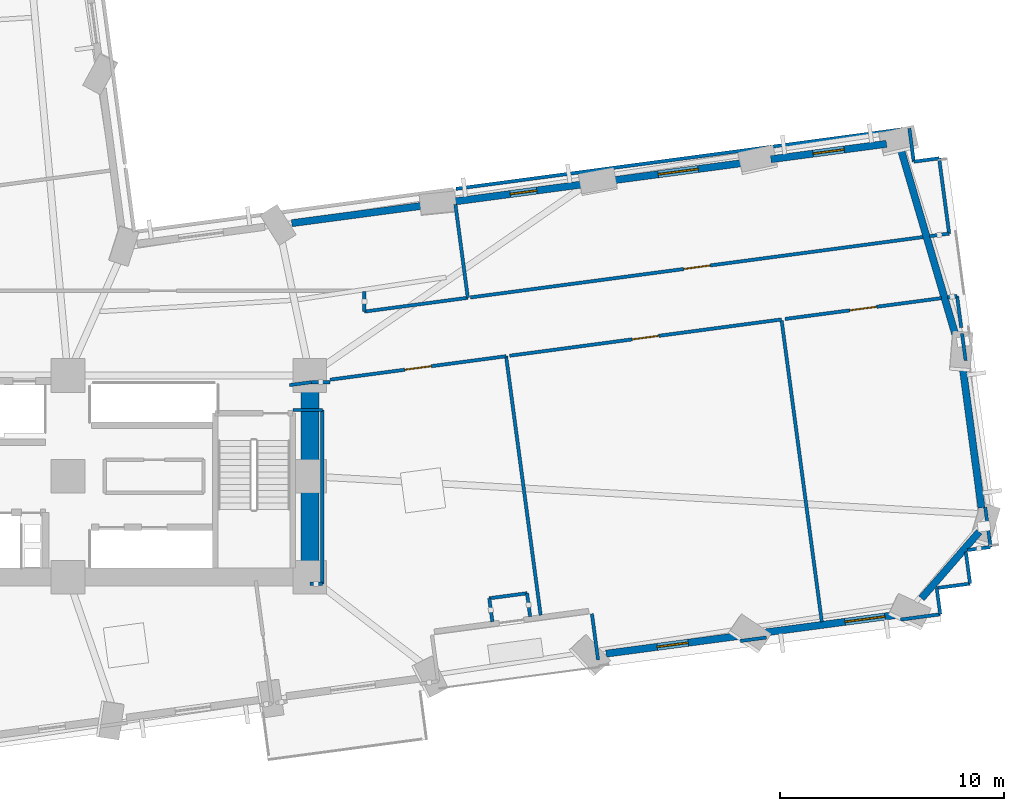
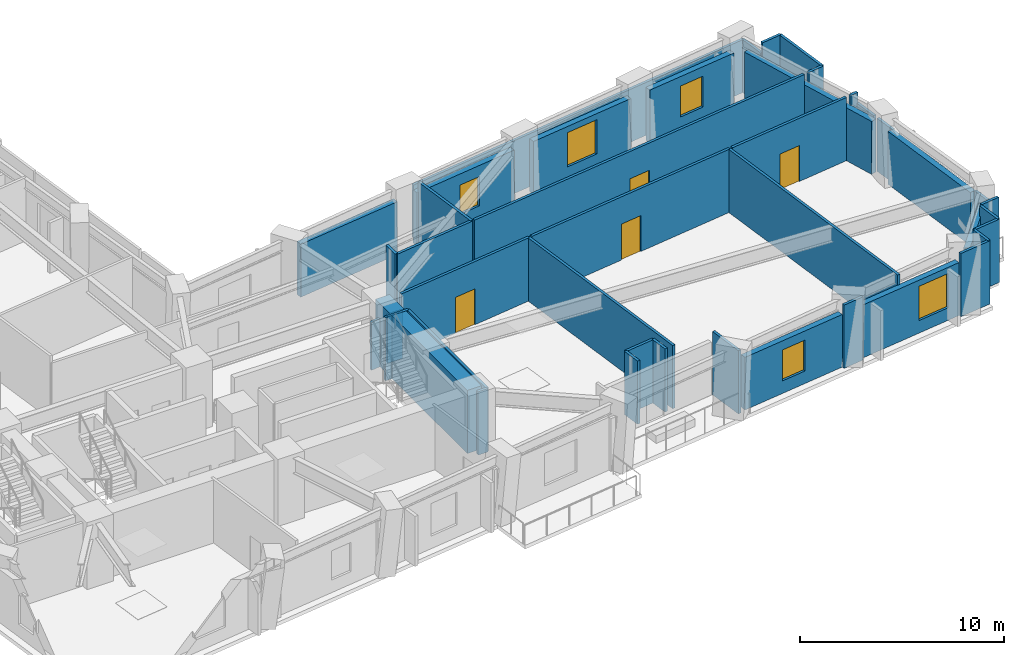
# One storey, part 8 of 14: 43 walls, 5 windows, 4 doors, 9 openings.
"""IFC4 building model written with IfcOpenShell, lengths in metres."""

import ifcopenshell
import ifcopenshell.guid

model = None  # the IFC model being written
_history = None  # IfcOwnerHistory: only IFC2X3 demands one
_inside = {}  # id of a spatial element -> (the spatial element, [elements in it])
_under = {}  # id of a project, library or spatial element -> (it, [spatial elements below it])
_declared = {}  # id of a project -> (the project, [libraries it declares])
_typed = {}  # id of a type object -> (the type object, [elements of that type])
_made_of = {}  # id of a material, layer set ... -> (it, [elements and type objects made of it])


def new_model(schema):
    """Start an empty IFC model of exactly this schema.

    Asked for "IFC4X3", IfcOpenShell would pick the latest addendum, in which some entities
    have other attributes; the version numbers below select the first issue.
    IFC2X3 requires an IfcOwnerHistory on every rooted entity: one is made here for all.
    """
    global model, _history
    if schema == "IFC4X3":
        model = ifcopenshell.file(schema_version=(4, 3, 0, 0))
    else:
        model = ifcopenshell.file(schema=schema)
    _inside.clear()
    _under.clear()
    _declared.clear()
    _typed.clear()
    _made_of.clear()
    _history = None
    if model.schema == "IFC2X3":
        org = make("IfcOrganization", Name="unknown")
        user = make(
            "IfcPersonAndOrganization",
            ThePerson=make("IfcPerson", FamilyName="unknown"),
            TheOrganization=org,
        )
        app = make(
            "IfcApplication",
            ApplicationDeveloper=org,
            Version="unknown",
            ApplicationFullName="unknown",
            ApplicationIdentifier="unknown",
        )
        _history = make(
            "IfcOwnerHistory",
            OwningUser=user,
            OwningApplication=app,
            ChangeAction="ADDED",
            CreationDate=0,
        )
    return model


def make(cls, **values):
    """One entity of the class cls with the attributes given. An attribute that is None is left unset."""
    return model.create_entity(
        cls, **{name: value for name, value in values.items() if value is not None}
    )


def rooted(cls, **values):
    """An entity with a GlobalId (a new one), such as an element, a storey or a relation."""
    return make(cls, GlobalId=ifcopenshell.guid.new(), OwnerHistory=_history, **values)


def si_unit(unit_type, name, prefix=None):
    """IfcSIUnit, for example si_unit("LENGTHUNIT", "METRE", prefix="MILLI")."""
    return make("IfcSIUnit", UnitType=unit_type, Prefix=prefix, Name=name)


def assignment(units):
    """IfcUnitAssignment: the units of a project."""
    return None if units is None else make("IfcUnitAssignment", Units=units)


def point(xyz):
    """IfcCartesianPoint."""
    return None if xyz is None else make("IfcCartesianPoint", Coordinates=xyz)


def direction(xyz):
    """IfcDirection."""
    return None if xyz is None else make("IfcDirection", DirectionRatios=xyz)


def frame(location, z_axis=None, x_axis=None):
    """IfcAxis2Placement3D, a coordinate frame: its origin and axes. An axis left out is left unset."""
    return make(
        "IfcAxis2Placement3D",
        Location=point(location),
        Axis=direction(z_axis),
        RefDirection=direction(x_axis),
    )


def frame_2d(location, x_axis=None):
    """IfcAxis2Placement2D, a coordinate frame in the plane: its origin and x axis."""
    return make(
        "IfcAxis2Placement2D", Location=point(location), RefDirection=direction(x_axis)
    )


def origin():
    """The frame at (0, 0, 0) with its axes left unset."""
    return frame((0.0, 0.0, 0.0))


def place(relative_to, where):
    """IfcLocalPlacement: puts the frame where relative to a parent placement (None: the world)."""
    return make(
        "IfcLocalPlacement", PlacementRelTo=relative_to, RelativePlacement=where
    )


def context(
    kind, dimensions, precision=None, world=None, true_north=None, identifier=None
):
    """IfcGeometricRepresentationContext, for example the 3D "Model" context."""
    return make(
        "IfcGeometricRepresentationContext",
        ContextIdentifier=identifier,
        ContextType=kind,
        CoordinateSpaceDimension=dimensions,
        Precision=precision,
        WorldCoordinateSystem=world,
        TrueNorth=true_north,
    )


def subcontext(parent, identifier, kind, view, scale=None):
    """IfcGeometricRepresentationSubContext, for example "Body" below "Model"."""
    return make(
        "IfcGeometricRepresentationSubContext",
        ContextIdentifier=identifier,
        ContextType=kind,
        ParentContext=parent,
        TargetScale=scale,
        TargetView=view,
    )


def project(units=None, contexts=None):
    """IfcProject with its units and contexts."""
    return rooted(
        "IfcProject",
        Name="project",
        RepresentationContexts=contexts,
        UnitsInContext=assignment(units),
    )


def spatial(cls, under=None, at=None, **own):
    """A site, building, storey or space (cls), placed at a placement, below another one or the project."""
    s = rooted(cls, ObjectPlacement=at, **own)
    if under is not None:
        _under.setdefault(under.id(), (under, []))[1].append(s)
    return s


def profile(cls, at=None, kind="AREA", **sizes):
    """A parametric profile (cls). Its sizes go by their IFC names, for example OverallWidth=200.0."""
    return make(cls, ProfileType=kind, Position=at, **sizes)


def rectangle(**sizes):
    """IfcRectangleProfileDef."""
    return profile("IfcRectangleProfileDef", **sizes)


def extrude(swept, where, along, depth):
    """IfcExtrudedAreaSolid: the profile swept, set in the frame where, extruded along a direction by depth."""
    return make(
        "IfcExtrudedAreaSolid",
        SweptArea=swept,
        Position=where,
        ExtrudedDirection=direction(along),
        Depth=depth,
    )


def shape(context_of_items, identifier, shape_type, items):
    """IfcShapeRepresentation: the items that make up one representation, for example the "Body"."""
    return make(
        "IfcShapeRepresentation",
        ContextOfItems=context_of_items,
        RepresentationIdentifier=identifier,
        RepresentationType=shape_type,
        Items=items,
    )


def material(Name=None, Category=None):
    """IfcMaterial."""
    return make("IfcMaterial", Name=Name, Category=Category)


def layer(
    of_material, thickness, ventilated=None, Name=None, Category=None, Priority=None
):
    """IfcMaterialLayer: one layer of a wall or slab, of a material (None: an air gap)."""
    return make(
        "IfcMaterialLayer",
        Material=of_material,
        LayerThickness=thickness,
        IsVentilated=ventilated,
        Name=Name,
        Category=Category,
        Priority=Priority,
    )


def layer_set(layers, Name=None):
    """IfcMaterialLayerSet."""
    return make("IfcMaterialLayerSet", MaterialLayers=layers, LayerSetName=Name)


def made_of(thing, what):
    """Note that an element or type object is made of a material, layer set ...; save() writes the relation."""
    if what is not None:
        _made_of.setdefault(what.id(), (what, []))[1].append(thing)
    return thing


def type_object(cls, material=None, **own):
    """A type object (cls), such as IfcWallType, which elements share."""
    return made_of(rooted(cls, **own), material)


def element(
    cls,
    number,
    at=None,
    inside=None,
    cuts=None,
    type_object=None,
    material=None,
    context=None,
    identifier="Body",
    shape_type=None,
    held_by="IfcProductDefinitionShape",
    body=None,
    shapes=None,
    **own,
):
    """One element of the class cls, such as IfcWall. Its Tag is "e" and its number.

    at: its placement. inside: the storey or other place that contains it. cuts: it is an
    opening in that element (IfcRelVoidsElement). A single representation is given by context,
    identifier, shape_type and body (its items); several are given by shapes. held_by: the class
    of the entity that holds the representations. save() writes the other relations.
    """
    e = rooted(cls, Tag="e%d" % number, ObjectPlacement=at, **own)
    if body is not None:
        shapes = [shape(context, identifier, shape_type, body)]
    if shapes is not None:
        e.Representation = make(held_by, Representations=shapes)
    if inside is not None:
        _inside.setdefault(inside.id(), (inside, []))[1].append(e)
    if cuts is not None:
        rooted(
            "IfcRelVoidsElement", RelatingBuildingElement=cuts, RelatedOpeningElement=e
        )
    if type_object is not None:
        _typed.setdefault(type_object.id(), (type_object, []))[1].append(e)
    return made_of(e, material)


def fill(opening, filler):
    """IfcRelFillsElement: the door or window that sits in an opening."""
    return rooted(
        "IfcRelFillsElement",
        RelatingOpeningElement=opening,
        RelatedBuildingElement=filler,
    )


def aggregate(whole, parts):
    """IfcRelAggregates: a whole, such as a stair, and the parts it consists of."""
    return rooted("IfcRelAggregates", RelatingObject=whole, RelatedObjects=parts)


def save(model, path):
    """Write the relations noted so far, then the file.

    IfcRelAggregates (storeys below a building ...), IfcRelContainedInSpatialStructure (elements
    in a storey), IfcRelDefinesByType, IfcRelAssociatesMaterial and IfcRelDeclares: one each for
    every whole, place, type object, material and project.
    """
    for whole, parts in _under.values():
        aggregate(whole, parts)
    for where, things in _inside.values():
        rooted(
            "IfcRelContainedInSpatialStructure",
            RelatedElements=things,
            RelatingStructure=where,
        )
    for kind, things in _typed.values():
        rooted("IfcRelDefinesByType", RelatedObjects=things, RelatingType=kind)
    for what, things in _made_of.values():
        rooted("IfcRelAssociatesMaterial", RelatedObjects=things, RelatingMaterial=what)
    for by, libraries in _declared.values():
        rooted("IfcRelDeclares", RelatingContext=by, RelatedDefinitions=libraries)
    model.write(path)


model = new_model("IFC4")

# Units and contexts
model_context = context("Model", 3, precision=1e-05, world=origin(), true_north=direction((0.0, 1.0)))
body_context = subcontext(model_context, "Body", "Model", "MODEL_VIEW")
ifc_project = project(units=[si_unit("LENGTHUNIT", "METRE"), si_unit("AREAUNIT", "SQUARE_METRE"), si_unit("VOLUMEUNIT", "CUBIC_METRE"), si_unit("PLANEANGLEUNIT", "RADIAN"), si_unit("MASSUNIT", "GRAM", prefix="KILO")], contexts=[model_context])

# Site, building, storey
site_placement = place(None, origin())
site = spatial("IfcSite", under=ifc_project, at=site_placement, CompositionType="ELEMENT")
building_placement = place(site_placement, origin())
building = spatial("IfcBuilding", under=site, at=building_placement, Name="Gaonmaruhae Medical Tower", CompositionType="ELEMENT")
storey_placement = place(building_placement, frame((0.0, 0.0, 55.0)))
storey = spatial("IfcBuildingStorey", under=building, at=storey_placement, Name="L12", CompositionType="ELEMENT", Elevation=55.0)

# Wall
ifc_material_1 = material(Name="Concrete C60/75", Category="concrete")
ifc_layer_1 = layer(ifc_material_1, 0.800048828125)
ifc_layer_set_1 = layer_set([ifc_layer_1], Name="Concrete C60/75")
wall_type_1 = type_object("IfcWallType", Name="CW-800 Lower Core Shear Wall", PredefinedType="SHEAR", material=ifc_layer_set_1)
wall_1_placement = place(storey_placement, frame((35.60009765625, 7.800048828125, 0.0), z_axis=(0.0, 0.0, 1.0), x_axis=(0.0, 1.0, 0.0)))
element("IfcWall", 1, at=wall_1_placement, inside=storey, type_object=wall_type_1, Name="L12 Core Shear Wall CSW-E1", PredefinedType="SHEAR", context=body_context, shape_type="SweptSolid", body=[
    extrude(rectangle(XDim=9.0, YDim=0.800048828125, at=frame_2d((4.5, 0.0))), origin(), (0.0, 0.0, 1.0), 3.780029296875),
])

# Wall, opening, window
ifc_material_2 = material(Name="Precast concrete C45/55", Category="concrete")
ifc_layer_2 = layer(ifc_material_2, 0.320068359375)
ifc_layer_set_2 = layer_set([ifc_layer_2], Name="Precast concrete C45/55")
wall_type_2 = type_object("IfcWallType", Name="EW-320 Lower Precast Masonry-Frame Facade Wall", PredefinedType="SOLIDWALL", material=ifc_layer_set_2)
wall_2_placement = place(storey_placement, frame((54.777099609375, 5.178466796875, 0.0), z_axis=(0.0, 0.0, 1.0), x_axis=(-0.991215483708, -0.132256814029, 0.0)))
wall_2 = element("IfcWall", 2, at=wall_2_placement, inside=storey, type_object=wall_type_2, Name="L12 Precast Masonry-Frame Wall S06-S07", PredefinedType="SOLIDWALL", context=body_context, shape_type="SweptSolid", body=[
    extrude(rectangle(XDim=6.01220703125, YDim=0.320068359375, at=frame_2d((3.006103515625, 0.0))), origin(), (0.0, 0.0, 1.0), 3.14501953125),
])
opening_1_placement = place(wall_2_placement, frame((2.30908203125, 0.0, 0.75)))
opening_1 = element("IfcOpeningElement", 3, at=opening_1_placement, cuts=wall_2, Name="Opening WN-03", PredefinedType="OPENING", context=body_context, shape_type="SweptSolid", body=[
    extrude(rectangle(XDim=1.39990234375, YDim=1.85009765625, at=frame_2d((0.699951171875, 0.925048828125))), frame((0.0, 0.169921875, 0.0), z_axis=(0.0, -1.0, 0.0), x_axis=(1.0, 0.0, 0.0)), (0.0, 0.0, 1.0), 0.340087890625),
])
ifc_material_3 = material(Name="Anodised aluminium and Low-E double glazing", Category="aluminium")
window_type_1 = type_object("IfcWindowType", Name="WN-03 Isolation Ward Punched Window 1400x1850", PartitioningType="SINGLE_PANEL", PredefinedType="WINDOW", material=ifc_material_3)
window_1_placement = place(opening_1_placement, origin())
window_1 = element("IfcWindow", 4, at=window_1_placement, inside=storey, type_object=window_type_1, Name="L12 Modular Facade Window S06", OverallHeight=1.85009765625, OverallWidth=1.39990234375, PartitioningType="SINGLE_PANEL", PredefinedType="WINDOW", context=body_context, shape_type="SweptSolid", body=[
    extrude(rectangle(XDim=1.39990234375, YDim=1.85009765625, at=frame_2d((0.699951171875, 0.925048828125))), frame((0.0, 0.030029296875, 0.0), z_axis=(0.0, -1.0, 0.0), x_axis=(1.0, 0.0, 0.0)), (0.0, 0.0, 1.0), 0.06005859375),
])
fill(opening_1, window_1)

wall_3_placement = place(storey_placement, frame((61.9326171875, 6.13330078125, 0.0), z_axis=(0.0, 0.0, 1.0), x_axis=(-0.991212725831, -0.132277481647, 0.0)))
wall_3 = element("IfcWall", 5, at=wall_3_placement, inside=storey, type_object=wall_type_2, Name="L12 Precast Masonry-Frame Wall S07-S08", PredefinedType="SOLIDWALL", context=body_context, shape_type="SweptSolid", body=[
    extrude(rectangle(XDim=6.044677734375, YDim=0.320068359375, at=frame_2d((3.0224609375, 0.0))), origin(), (0.0, 0.0, 1.0), 3.1650390625),
])
opening_2_placement = place(wall_3_placement, frame((0.674072265625, 0.0, 0.75)))
opening_2 = element("IfcOpeningElement", 6, at=opening_2_placement, cuts=wall_3, Name="Opening WN-04", PredefinedType="OPENING", context=body_context, shape_type="SweptSolid", body=[
    extrude(rectangle(XDim=1.800048828125, YDim=2.050048828125, at=frame_2d((0.89990234375, 1.02490234375))), frame((0.0, 0.169921875, 0.0), z_axis=(0.0, -1.0, 0.0), x_axis=(1.0, 0.0, 0.0)), (0.0, 0.0, 1.0), 0.340087890625),
])
window_type_2 = type_object("IfcWindowType", Name="WN-04 Clinic & Consult Punched Window 1800x2050", PartitioningType="SINGLE_PANEL", PredefinedType="WINDOW", material=ifc_material_3)
window_2_placement = place(opening_2_placement, origin())
window_2 = element("IfcWindow", 7, at=window_2_placement, inside=storey, type_object=window_type_2, Name="L12 Modular Facade Window S07", OverallHeight=2.050048828125, OverallWidth=1.800048828125, PartitioningType="SINGLE_PANEL", PredefinedType="WINDOW", context=body_context, shape_type="SweptSolid", body=[
    extrude(rectangle(XDim=1.800048828125, YDim=2.050048828125, at=frame_2d((0.89990234375, 1.02490234375))), frame((0.0, 0.030029296875, 0.0), z_axis=(0.0, -1.0, 0.0), x_axis=(1.0, 0.0, 0.0)), (0.0, 0.0, 1.0), 0.06005859375),
])
fill(opening_2, window_2)

# Walls
wall_4_placement = place(storey_placement, frame((65.469970703125, 9.8203125, 0.0), z_axis=(0.0, 0.0, 1.0), x_axis=(-0.655427370607, -0.755258208733, 0.0)))
element("IfcWall", 8, at=wall_4_placement, inside=storey, type_object=wall_type_2, Name="L12 Precast Masonry-Frame Wall S08-E01", PredefinedType="SOLIDWALL", context=body_context, shape_type="SweptSolid", body=[
    extrude(rectangle(XDim=3.927490234375, YDim=0.320068359375, at=frame_2d((1.9638671875, 0.0))), origin(), (0.0, 0.0, 1.0), 3.1650390625),
])
wall_5_placement = place(storey_placement, frame((64.69580078125, 17.445068359375, 0.0), z_axis=(0.0, 0.0, 1.0), x_axis=(0.132294355664, -0.991210473845, 0.0)))
element("IfcWall", 9, at=wall_5_placement, inside=storey, type_object=wall_type_2, Name="L12 Precast Masonry-Frame Wall E01-E02", PredefinedType="SOLIDWALL", context=body_context, shape_type="SweptSolid", body=[
    extrude(rectangle(XDim=6.6103515625, YDim=0.320068359375, at=frame_2d((3.30517578125, 0.0))), origin(), (0.0, 0.0, 1.0), 3.1650390625),
])
wall_6_placement = place(storey_placement, frame((61.9853515625, 26.851318359375, 0.0), z_axis=(0.0, 0.0, 1.0), x_axis=(0.282177065207, -0.959362342325, 0.0)))
element("IfcWall", 10, at=wall_6_placement, inside=storey, type_object=wall_type_2, Name="L12 Precast Masonry-Frame Wall E02-E03", PredefinedType="SOLIDWALL", context=body_context, shape_type="SweptSolid", body=[
    extrude(rectangle(XDim=8.614013671875, YDim=0.320068359375, at=frame_2d((4.30712890625, 0.0))), origin(), (0.0, 0.0, 1.0), 3.1650390625),
])

# Wall, opening, window
wall_7_placement = place(storey_placement, frame((56.169677734375, 26.449462890625, 0.0), z_axis=(0.0, 0.0, 1.0), x_axis=(0.991214797288, 0.132261958388, 0.0)))
wall_7 = element("IfcWall", 11, at=wall_7_placement, inside=storey, type_object=wall_type_2, Name="L12 Precast Masonry-Frame Wall E03-EN01", PredefinedType="SOLIDWALL", context=body_context, shape_type="SweptSolid", body=[
    extrude(rectangle(XDim=5.208984375, YDim=0.320068359375, at=frame_2d((2.6044921875, 0.0))), origin(), (0.0, 0.0, 1.0), 3.1650390625),
])
opening_3_placement = place(wall_7_placement, frame((1.900146484375, 0.0, 0.75)))
opening_3 = element("IfcOpeningElement", 12, at=opening_3_placement, cuts=wall_7, Name="Opening WN-03", PredefinedType="OPENING", context=body_context, shape_type="SweptSolid", body=[
    extrude(rectangle(XDim=1.39990234375, YDim=1.85009765625, at=frame_2d((0.699951171875, 0.925048828125))), frame((0.0, 0.169921875, 0.0), z_axis=(0.0, -1.0, 0.0), x_axis=(1.0, 0.0, 0.0)), (0.0, 0.0, 1.0), 0.340087890625),
])
window_3_placement = place(opening_3_placement, origin())
window_3 = element("IfcWindow", 13, at=window_3_placement, inside=storey, type_object=window_type_1, Name="L12 Modular Facade Window E03", OverallHeight=1.85009765625, OverallWidth=1.39990234375, PartitioningType="SINGLE_PANEL", PredefinedType="WINDOW", context=body_context, shape_type="SweptSolid", body=[
    extrude(rectangle(XDim=1.39990234375, YDim=1.85009765625, at=frame_2d((0.699951171875, 0.925048828125))), frame((0.0, 0.030029296875, 0.0), z_axis=(0.0, -1.0, 0.0), x_axis=(1.0, 0.0, 0.0)), (0.0, 0.0, 1.0), 0.06005859375),
])
fill(opening_3, window_3)

wall_8_placement = place(storey_placement, frame((49.048583984375, 25.499267578125, 0.0), z_axis=(0.0, 0.0, 1.0), x_axis=(0.991213029166, 0.132275208602, 0.0)))
wall_8 = element("IfcWall", 14, at=wall_8_placement, inside=storey, type_object=wall_type_2, Name="L12 Precast Masonry-Frame Wall EN01-EN02", PredefinedType="SOLIDWALL", context=body_context, shape_type="SweptSolid", body=[
    extrude(rectangle(XDim=6.0244140625, YDim=0.320068359375, at=frame_2d((3.01220703125, 0.0))), origin(), (0.0, 0.0, 1.0), 3.1650390625),
])
opening_4_placement = place(wall_8_placement, frame((2.108642578125, 0.0, 0.75)))
opening_4 = element("IfcOpeningElement", 15, at=opening_4_placement, cuts=wall_8, Name="Opening WN-04", PredefinedType="OPENING", context=body_context, shape_type="SweptSolid", body=[
    extrude(rectangle(XDim=1.800048828125, YDim=2.050048828125, at=frame_2d((0.89990234375, 1.02490234375))), frame((0.0, 0.169921875, 0.0), z_axis=(0.0, -1.0, 0.0), x_axis=(1.0, 0.0, 0.0)), (0.0, 0.0, 1.0), 0.340087890625),
])
window_4_placement = place(opening_4_placement, origin())
window_4 = element("IfcWindow", 16, at=window_4_placement, inside=storey, type_object=window_type_2, Name="L12 Modular Facade Window EN01", OverallHeight=2.050048828125, OverallWidth=1.800048828125, PartitioningType="SINGLE_PANEL", PredefinedType="WINDOW", context=body_context, shape_type="SweptSolid", body=[
    extrude(rectangle(XDim=1.800048828125, YDim=2.050048828125, at=frame_2d((0.89990234375, 1.02490234375))), frame((0.0, 0.030029296875, 0.0), z_axis=(0.0, -1.0, 0.0), x_axis=(1.0, 0.0, 0.0)), (0.0, 0.0, 1.0), 0.06005859375),
])
fill(opening_4, window_4)

wall_9_placement = place(storey_placement, frame((41.921630859375, 24.54833984375, 0.0), z_axis=(0.0, 0.0, 1.0), x_axis=(0.991215812837, 0.132254347308, 0.0)))
wall_9 = element("IfcWall", 17, at=wall_9_placement, inside=storey, type_object=wall_type_2, Name="L12 Precast Masonry-Frame Wall EN02-EN03", PredefinedType="SOLIDWALL", context=body_context, shape_type="SweptSolid", body=[
    extrude(rectangle(XDim=5.99951171875, YDim=0.320068359375, at=frame_2d((2.999755859375, 0.0))), origin(), (0.0, 0.0, 1.0), 3.1650390625),
])
opening_5_placement = place(wall_9_placement, frame((2.638427734375, 0.0, 0.75)))
opening_5 = element("IfcOpeningElement", 18, at=opening_5_placement, cuts=wall_9, Name="Opening WN-05", PredefinedType="OPENING", context=body_context, shape_type="SweptSolid", body=[
    extrude(rectangle(XDim=1.199951171875, YDim=1.75, at=frame_2d((0.60009765625, 0.875))), frame((0.0, 0.169921875, 0.0), z_axis=(0.0, -1.0, 0.0), x_axis=(1.0, 0.0, 0.0)), (0.0, 0.0, 1.0), 0.340087890625),
])
window_type_3 = type_object("IfcWindowType", Name="WN-05 Support & Staff Punched Window 1200x1750", PartitioningType="SINGLE_PANEL", PredefinedType="WINDOW", material=ifc_material_3)
window_5_placement = place(opening_5_placement, origin())
window_5 = element("IfcWindow", 19, at=window_5_placement, inside=storey, type_object=window_type_3, Name="L12 Modular Facade Window EN02", OverallHeight=1.75, OverallWidth=1.199951171875, PartitioningType="SINGLE_PANEL", PredefinedType="WINDOW", context=body_context, shape_type="SweptSolid", body=[
    extrude(rectangle(XDim=1.199951171875, YDim=1.75, at=frame_2d((0.60009765625, 0.875))), frame((0.0, 0.030029296875, 0.0), z_axis=(0.0, -1.0, 0.0), x_axis=(1.0, 0.0, 0.0)), (0.0, 0.0, 1.0), 0.06005859375),
])
fill(opening_5, window_5)

# Walls
wall_10_placement = place(storey_placement, frame((34.78857421875, 23.5966796875, 0.0), z_axis=(0.0, 0.0, 1.0), x_axis=(0.99121756975, 0.132241178982, 0.0)))
element("IfcWall", 20, at=wall_10_placement, inside=storey, type_object=wall_type_2, Name="L12 Precast Masonry-Frame Wall EN03-EN04", PredefinedType="SOLIDWALL", context=body_context, shape_type="SweptSolid", body=[
    extrude(rectangle(XDim=5.987060546875, YDim=0.320068359375, at=frame_2d((2.99365234375, 0.0))), origin(), (0.0, 0.0, 1.0), 3.1650390625),
])
ifc_material_4 = material(Name="Gypsum board partition", Category="gypsum")
ifc_layer_3 = layer(ifc_material_4, 0.14990234375)
ifc_layer_set_3 = layer_set([ifc_layer_3], Name="Gypsum board partition")
wall_type_3 = type_object("IfcWallType", Name="PW-150 Rated Clinical Corridor Partition", PredefinedType="PARTITIONING", material=ifc_layer_set_3)
wall_11_placement = place(storey_placement, frame((35.60009765625, 7.5, 0.0), z_axis=(0.0, 0.0, 1.0), x_axis=(1.0, 0.0, 0.0)))
element("IfcWall", 21, at=wall_11_placement, inside=storey, type_object=wall_type_3, Name="L12 Interior Partition L12-SUP03-19", PredefinedType="PARTITIONING", context=body_context, shape_type="SweptSolid", body=[
    extrude(rectangle(XDim=0.5498046875, YDim=0.14990234375, at=frame_2d((0.27490234375, 0.0))), origin(), (0.0, 0.0, 1.0), 3.780029296875),
])
wall_12_placement = place(storey_placement, frame((36.14990234375, 7.5, 0.0), z_axis=(0.0, 0.0, 1.0), x_axis=(0.0, 1.0, 0.0)))
element("IfcWall", 22, at=wall_12_placement, inside=storey, type_object=wall_type_3, Name="L12 Interior Partition L12-SUP03-20", PredefinedType="PARTITIONING", context=body_context, shape_type="SweptSolid", body=[
    extrude(rectangle(XDim=7.760009765625, YDim=0.14990234375, at=frame_2d((3.8798828125, 0.0))), origin(), (0.0, 0.0, 1.0), 3.780029296875),
])
wall_13_placement = place(storey_placement, frame((36.14990234375, 15.260009765625, 0.0), z_axis=(0.0, 0.0, 1.0), x_axis=(-1.0, 0.0, 0.0)))
element("IfcWall", 23, at=wall_13_placement, inside=storey, type_object=wall_type_3, Name="L12 Interior Partition L12-SUP03-21", PredefinedType="PARTITIONING", context=body_context, shape_type="SweptSolid", body=[
    extrude(rectangle(XDim=1.2998046875, YDim=0.14990234375, at=frame_2d((0.64990234375, 0.0))), origin(), (0.0, 0.0, 1.0), 3.780029296875),
])
wall_14_placement = place(storey_placement, frame((34.68994140625, 16.3701171875, 0.0), z_axis=(0.0, 0.0, 1.0), x_axis=(0.991210517586, 0.132294027937, 0.0)))
element("IfcWall", 24, at=wall_14_placement, inside=storey, type_object=wall_type_3, Name="L12 Interior Partition L12-SUP03-22", PredefinedType="PARTITIONING", context=body_context, shape_type="SweptSolid", body=[
    extrude(rectangle(XDim=0.981689453125, YDim=0.14990234375, at=frame_2d((0.49072265625, 0.0))), origin(), (0.0, 0.0, 1.0), 2.864990234375),
])
wall_15_placement = place(storey_placement, frame((35.6630859375, 16.5, 0.0), z_axis=(0.0, 0.0, 1.0), x_axis=(1.0, 0.0, 0.0)))
element("IfcWall", 25, at=wall_15_placement, inside=storey, type_object=wall_type_3, Name="L12 Interior Partition L12-SUP03-23", PredefinedType="PARTITIONING", context=body_context, shape_type="SweptSolid", body=[
    extrude(rectangle(XDim=0.8369140625, YDim=0.14990234375, at=frame_2d((0.41845703125, 0.0))), origin(), (0.0, 0.0, 1.0), 2.864990234375),
])

# Wall, opening, door
wall_16_placement = place(storey_placement, frame((36.5, 16.612060546875, 0.0), z_axis=(0.0, 0.0, 1.0), x_axis=(0.991217133431, 0.132244449384, 0.0)))
wall_16 = element("IfcWall", 26, at=wall_16_placement, inside=storey, type_object=wall_type_3, Name="L12 Interior Partition L12-SUP03-24", PredefinedType="PARTITIONING", context=body_context, shape_type="SweptSolid", body=[
    extrude(rectangle(XDim=7.923583984375, YDim=0.14990234375, at=frame_2d((3.9619140625, 0.0))), origin(), (0.0, 0.0, 1.0), 3.780029296875),
])
opening_6_placement = place(wall_16_placement, frame((3.36181640625, 0.0, 0.0)))
opening_6 = element("IfcOpeningElement", 27, at=opening_6_placement, cuts=wall_16, Name="Opening CD-02", PredefinedType="OPENING", context=body_context, shape_type="SweptSolid", body=[
    extrude(rectangle(XDim=1.199951171875, YDim=2.14990234375, at=frame_2d((0.60009765625, 1.074951171875))), frame((0.0, 0.0849609375, 0.0), z_axis=(0.0, -1.0, 0.0), x_axis=(1.0, 0.0, 0.0)), (0.0, 0.0, 1.0), 0.169921875),
])
ifc_material_5 = material(Name="Antimicrobial laminate timber fire door", Category="wood")
door_type = type_object("IfcDoorType", Name="CD-02 Clinical Treatment & Procedure Door 1200x2150", OperationType="NOTDEFINED", PredefinedType="DOOR", material=ifc_material_5)
door_1_placement = place(opening_6_placement, origin())
door_1 = element("IfcDoor", 28, at=door_1_placement, inside=storey, type_object=door_type, Name="L12 Clinical Biomedical Charting Office Door", OperationType="SINGLE_SWING_LEFT", OverallHeight=2.14990234375, OverallWidth=1.199951171875, PredefinedType="DOOR", context=body_context, shape_type="SweptSolid", body=[
    extrude(rectangle(XDim=1.199951171875, YDim=2.14990234375, at=frame_2d((0.60009765625, 1.074951171875))), frame((0.0, 0.02490234375, 0.0), z_axis=(0.0, -1.0, 0.0), x_axis=(1.0, 0.0, 0.0)), (0.0, 0.0, 1.0), 0.050048828125),
])
fill(opening_6, door_1)

# Walls
wall_17_placement = place(storey_placement, frame((44.35400390625, 17.659912109375, 0.0), z_axis=(0.0, 0.0, 1.0), x_axis=(0.132267904737, -0.991214003824, 0.0)))
element("IfcWall", 29, at=wall_17_placement, inside=storey, type_object=wall_type_3, Name="L12 Interior Partition L12-SUP03-25", PredefinedType="PARTITIONING", context=body_context, shape_type="SweptSolid", body=[
    extrude(rectangle(XDim=11.66552734375, YDim=0.14990234375, at=frame_2d((5.832763671875, 0.0))), origin(), (0.0, 0.0, 1.0), 3.780029296875),
])
wall_18_placement = place(storey_placement, frame((45.427978515625, 6.033935546875, 0.0), z_axis=(0.0, 0.0, 1.0), x_axis=(-0.132542498532, 0.991177323229, 0.0)))
element("IfcWall", 30, at=wall_18_placement, inside=storey, type_object=wall_type_3, Name="L12 Interior Partition L12-SUP03-26", PredefinedType="PARTITIONING", context=body_context, shape_type="SweptSolid", body=[
    extrude(rectangle(XDim=1.055419921875, YDim=0.14990234375, at=frame_2d((0.52783203125, 0.0))), origin(), (0.0, 0.0, 1.0), 3.780029296875),
])
wall_19_placement = place(storey_placement, frame((45.2880859375, 7.080078125, 0.0), z_axis=(0.0, 0.0, 1.0), x_axis=(-0.99119526041, -0.132408291814, 0.0)))
element("IfcWall", 31, at=wall_19_placement, inside=storey, type_object=wall_type_3, Name="L12 Interior Partition L12-SUP03-27", PredefinedType="PARTITIONING", context=body_context, shape_type="SweptSolid", body=[
    extrude(rectangle(XDim=1.699951171875, YDim=0.14990234375, at=frame_2d((0.85009765625, 0.0))), origin(), (0.0, 0.0, 1.0), 3.780029296875),
])
wall_20_placement = place(storey_placement, frame((43.60302734375, 6.85498046875, 0.0), z_axis=(0.0, 0.0, 1.0), x_axis=(0.132694613072, -0.991156970243, 0.0)))
element("IfcWall", 32, at=wall_20_placement, inside=storey, type_object=wall_type_3, Name="L12 Interior Partition L12-SUP03-28", PredefinedType="PARTITIONING", context=body_context, shape_type="SweptSolid", body=[
    extrude(rectangle(XDim=1.05419921875, YDim=0.14990234375, at=frame_2d((0.527099609375, 0.0))), origin(), (0.0, 0.0, 1.0), 3.780029296875),
])

# Wall, opening, door
wall_21_placement = place(storey_placement, frame((44.511962890625, 17.680908203125, 0.0), z_axis=(0.0, 0.0, 1.0), x_axis=(0.991212913697, 0.13227607388, 0.0)))
wall_21 = element("IfcWall", 33, at=wall_21_placement, inside=storey, type_object=wall_type_3, Name="L12 Interior Partition L12-SUP04-32", PredefinedType="PARTITIONING", context=body_context, shape_type="SweptSolid", body=[
    extrude(rectangle(XDim=12.24072265625, YDim=0.14990234375, at=frame_2d((6.120361328125, 0.0))), origin(), (0.0, 0.0, 1.0), 3.780029296875),
])
opening_7_placement = place(wall_21_placement, frame((5.520263671875, 0.0, 0.0)))
opening_7 = element("IfcOpeningElement", 34, at=opening_7_placement, cuts=wall_21, Name="Opening CD-02", PredefinedType="OPENING", context=body_context, shape_type="SweptSolid", body=[
    extrude(rectangle(XDim=1.199951171875, YDim=2.14990234375, at=frame_2d((0.60009765625, 1.074951171875))), frame((0.0, 0.0849609375, 0.0), z_axis=(0.0, -1.0, 0.0), x_axis=(1.0, 0.0, 0.0)), (0.0, 0.0, 1.0), 0.169921875),
])
door_2_placement = place(opening_7_placement, origin())
door_2 = element("IfcDoor", 35, at=door_2_placement, inside=storey, type_object=door_type, Name="L12 Clinical Biomedical Charting Office Door", OperationType="SINGLE_SWING_RIGHT", OverallHeight=2.14990234375, OverallWidth=1.199951171875, PredefinedType="DOOR", context=body_context, shape_type="SweptSolid", body=[
    extrude(rectangle(XDim=1.199951171875, YDim=2.14990234375, at=frame_2d((0.60009765625, 1.074951171875))), frame((0.0, 0.02490234375, 0.0), z_axis=(0.0, -1.0, 0.0), x_axis=(1.0, 0.0, 0.0)), (0.0, 0.0, 1.0), 0.050048828125),
])
fill(opening_7, door_2)

# Walls
wall_22_placement = place(storey_placement, frame((56.652099609375, 19.25, 0.0), z_axis=(0.0, 0.0, 1.0), x_axis=(0.132246241303, -0.991216894358, 0.0)))
element("IfcWall", 36, at=wall_22_placement, inside=storey, type_object=wall_type_3, Name="L12 Interior Partition L12-SUP04-33", PredefinedType="PARTITIONING", context=body_context, shape_type="SweptSolid", body=[
    extrude(rectangle(XDim=13.565185546875, YDim=0.14990234375, at=frame_2d((6.78271484375, 0.0))), origin(), (0.0, 0.0, 1.0), 3.780029296875),
])
wall_23_placement = place(storey_placement, frame((55.971923828125, 5.10498046875, 0.0), z_axis=(0.0, 0.0, 1.0), x_axis=(-0.991244237637, -0.132041135074, 0.0)))
element("IfcWall", 37, at=wall_23_placement, inside=storey, type_object=wall_type_3, Name="L12 Interior Partition L12-SUP04-34", PredefinedType="PARTITIONING", context=body_context, shape_type="SweptSolid", body=[
    extrude(rectangle(XDim=1.174072265625, YDim=0.14990234375, at=frame_2d((0.5869140625, 0.0))), origin(), (0.0, 0.0, 1.0), 3.780029296875),
])
wall_24_placement = place(storey_placement, frame((48.4599609375, 4.10302734375, 0.0), z_axis=(0.0, 0.0, 1.0), x_axis=(-0.132148345288, 0.991229950535, 0.0)))
element("IfcWall", 38, at=wall_24_placement, inside=storey, type_object=wall_type_3, Name="L12 Interior Partition L12-SUP04-35", PredefinedType="PARTITIONING", context=body_context, shape_type="SweptSolid", body=[
    extrude(rectangle(XDim=2.080322265625, YDim=0.14990234375, at=frame_2d((1.0400390625, 0.0))), origin(), (0.0, 0.0, 1.0), 3.780029296875),
])
wall_25_placement = place(storey_placement, frame((65.06298828125, 7.509033203125, 0.0), z_axis=(0.0, 0.0, 1.0), x_axis=(-0.991252046454, -0.131982500357, 0.0)))
element("IfcWall", 39, at=wall_25_placement, inside=storey, type_object=wall_type_3, Name="L12 Interior Partition L12-SUP05-36", PredefinedType="PARTITIONING", context=body_context, shape_type="SweptSolid", body=[
    extrude(rectangle(XDim=1.500244140625, YDim=0.14990234375, at=frame_2d((0.75, 0.0))), origin(), (0.0, 0.0, 1.0), 3.780029296875),
])
wall_26_placement = place(storey_placement, frame((63.575927734375, 7.31103515625, 0.0), z_axis=(0.0, 0.0, 1.0), x_axis=(0.132177269218, -0.991226094038, 0.0)))
element("IfcWall", 40, at=wall_26_placement, inside=storey, type_object=wall_type_3, Name="L12 Interior Partition L12-SUP05-37", PredefinedType="PARTITIONING", context=body_context, shape_type="SweptSolid", body=[
    extrude(rectangle(XDim=1.18017578125, YDim=0.14990234375, at=frame_2d((0.590087890625, 0.0))), origin(), (0.0, 0.0, 1.0), 3.780029296875),
])
wall_27_placement = place(storey_placement, frame((63.73193359375, 6.14111328125, 0.0), z_axis=(0.0, 0.0, 1.0), x_axis=(-0.991212362594, -0.132280203509, 0.0)))
element("IfcWall", 41, at=wall_27_placement, inside=storey, type_object=wall_type_3, Name="L12 Interior Partition L12-SUP05-38", PredefinedType="PARTITIONING", context=body_context, shape_type="SweptSolid", body=[
    extrude(rectangle(XDim=1.78466796875, YDim=0.14990234375, at=frame_2d((0.892333984375, 0.0))), origin(), (0.0, 0.0, 1.0), 3.780029296875),
])

# Wall, opening, door
wall_28_placement = place(storey_placement, frame((56.803955078125, 19.321044921875, 0.0), z_axis=(0.0, 0.0, 1.0), x_axis=(0.991228203394, 0.132161449736, 0.0)))
wall_28 = element("IfcWall", 42, at=wall_28_placement, inside=storey, type_object=wall_type_3, Name="L12 Interior Partition L12-SUP05-39", PredefinedType="PARTITIONING", context=body_context, shape_type="SweptSolid", body=[
    extrude(rectangle(XDim=7.043701171875, YDim=0.14990234375, at=frame_2d((3.52197265625, 0.0))), origin(), (0.0, 0.0, 1.0), 3.780029296875),
])
opening_8_placement = place(wall_28_placement, frame((2.921875, 0.0, 0.0)))
opening_8 = element("IfcOpeningElement", 43, at=opening_8_placement, cuts=wall_28, Name="Opening CD-02", PredefinedType="OPENING", context=body_context, shape_type="SweptSolid", body=[
    extrude(rectangle(XDim=1.199951171875, YDim=2.14990234375, at=frame_2d((0.60009765625, 1.074951171875))), frame((0.0, 0.0849609375, 0.0), z_axis=(0.0, -1.0, 0.0), x_axis=(1.0, 0.0, 0.0)), (0.0, 0.0, 1.0), 0.169921875),
])
door_3_placement = place(opening_8_placement, origin())
door_3 = element("IfcDoor", 44, at=door_3_placement, inside=storey, type_object=door_type, Name="L12 Clinical Biomedical Charting Office Door", OperationType="SINGLE_SWING_RIGHT", OverallHeight=2.14990234375, OverallWidth=1.199951171875, PredefinedType="DOOR", context=body_context, shape_type="SweptSolid", body=[
    extrude(rectangle(XDim=1.199951171875, YDim=2.14990234375, at=frame_2d((0.60009765625, 1.074951171875))), frame((0.0, 0.02490234375, 0.0), z_axis=(0.0, -1.0, 0.0), x_axis=(1.0, 0.0, 0.0)), (0.0, 0.0, 1.0), 0.050048828125),
])
fill(opening_8, door_3)

# Walls
wall_29_placement = place(storey_placement, frame((64.055908203125, 20.2890625, 0.0), z_axis=(0.0, 0.0, 1.0), x_axis=(0.991421237805, 0.130705505733, 0.0)))
element("IfcWall", 45, at=wall_29_placement, inside=storey, type_object=wall_type_3, Name="L12 Interior Partition L12-SUP05-40", PredefinedType="PARTITIONING", context=body_context, shape_type="SweptSolid", body=[
    extrude(rectangle(XDim=0.427734375, YDim=0.14990234375, at=frame_2d((0.2138671875, 0.0))), origin(), (0.0, 0.0, 1.0), 3.780029296875),
])
wall_30_placement = place(storey_placement, frame((64.47998046875, 20.344970703125, 0.0), z_axis=(0.0, 0.0, 1.0), x_axis=(0.132253723782, -0.991215896032, 0.0)))
element("IfcWall", 46, at=wall_30_placement, inside=storey, type_object=wall_type_3, Name="L12 Interior Partition L12-SUP05-41", PredefinedType="PARTITIONING", context=body_context, shape_type="SweptSolid", body=[
    extrude(rectangle(XDim=1.42138671875, YDim=0.14990234375, at=frame_2d((0.710693359375, 0.0))), origin(), (0.0, 0.0, 1.0), 3.1650390625),
])
wall_31_placement = place(storey_placement, frame((64.702880859375, 18.672119140625, 0.0), z_axis=(0.0, 0.0, 1.0), x_axis=(0.132532001564, -0.991178726851, 0.0)))
element("IfcWall", 47, at=wall_31_placement, inside=storey, type_object=wall_type_3, Name="L12 Interior Partition L12-SUP05-42", PredefinedType="PARTITIONING", context=body_context, shape_type="SweptSolid", body=[
    extrude(rectangle(XDim=1.2158203125, YDim=0.14990234375, at=frame_2d((0.60791015625, 0.0))), origin(), (0.0, 0.0, 1.0), 3.1650390625),
])
wall_32_placement = place(storey_placement, frame((65.739013671875, 10.9150390625, 0.0), z_axis=(0.0, 0.0, 1.0), x_axis=(0.132136868171, -0.991231480569, 0.0)))
element("IfcWall", 48, at=wall_32_placement, inside=storey, type_object=wall_type_3, Name="L12 Interior Partition L12-SUP05-43", PredefinedType="PARTITIONING", context=body_context, shape_type="SweptSolid", body=[
    extrude(rectangle(XDim=1.78662109375, YDim=0.14990234375, at=frame_2d((0.893310546875, 0.0))), origin(), (0.0, 0.0, 1.0), 3.1650390625),
])
wall_33_placement = place(storey_placement, frame((65.97509765625, 9.14404296875, 0.0), z_axis=(0.0, 0.0, 1.0), x_axis=(-0.991205385142, -0.132332476986, 0.0)))
element("IfcWall", 49, at=wall_33_placement, inside=storey, type_object=wall_type_3, Name="L12 Interior Partition L12-SUP05-44", PredefinedType="PARTITIONING", context=body_context, shape_type="SweptSolid", body=[
    extrude(rectangle(XDim=1.04248046875, YDim=0.14990234375, at=frame_2d((0.521240234375, 0.0))), origin(), (0.0, 0.0, 1.0), 3.780029296875),
])
wall_34_placement = place(storey_placement, frame((64.8740234375, 8.927978515625, 0.0), z_axis=(0.0, 0.0, 1.0), x_axis=(0.132007316967, -0.991248741874, 0.0)))
element("IfcWall", 50, at=wall_34_placement, inside=storey, type_object=wall_type_3, Name="L12 Interior Partition L12-SUP05-45", PredefinedType="PARTITIONING", context=body_context, shape_type="SweptSolid", body=[
    extrude(rectangle(XDim=1.431396484375, YDim=0.14990234375, at=frame_2d((0.7158203125, 0.0))), origin(), (0.0, 0.0, 1.0), 3.780029296875),
])
wall_35_placement = place(storey_placement, frame((42.091064453125, 24.43505859375, 0.0), z_axis=(0.0, 0.0, 1.0), x_axis=(0.132205554526, -0.991222321859, 0.0)))
element("IfcWall", 51, at=wall_35_placement, inside=storey, type_object=wall_type_3, Name="L12 Interior Partition L12-IE01-66", PredefinedType="PARTITIONING", context=body_context, shape_type="SweptSolid", body=[
    extrude(rectangle(XDim=4.204833984375, YDim=0.14990234375, at=frame_2d((2.1025390625, 0.0))), origin(), (0.0, 0.0, 1.0), 3.780029296875),
])
wall_36_placement = place(storey_placement, frame((42.64697265625, 20.26708984375, 0.0), z_axis=(0.0, 0.0, 1.0), x_axis=(-0.991210496894, -0.132294182971, 0.0)))
element("IfcWall", 52, at=wall_36_placement, inside=storey, type_object=wall_type_3, Name="L12 Interior Partition L12-IE01-67", PredefinedType="PARTITIONING", context=body_context, shape_type="SweptSolid", body=[
    extrude(rectangle(XDim=4.657958984375, YDim=0.14990234375, at=frame_2d((2.3291015625, 0.0))), origin(), (0.0, 0.0, 1.0), 3.780029296875),
])
wall_37_placement = place(storey_placement, frame((38.030029296875, 19.65087890625, 0.0), z_axis=(0.0, 0.0, 1.0), x_axis=(0.0, 1.0, 0.0)))
element("IfcWall", 53, at=wall_37_placement, inside=storey, type_object=wall_type_3, Name="L12 Interior Partition L12-IE01-68", PredefinedType="PARTITIONING", context=body_context, shape_type="SweptSolid", body=[
    extrude(rectangle(XDim=0.899169921875, YDim=0.14990234375, at=frame_2d((0.44970703125, 0.0))), origin(), (0.0, 0.0, 1.0), 3.780029296875),
])
wall_38_placement = place(storey_placement, frame((63.679931640625, 26.492919921875, 0.0), z_axis=(0.0, 0.0, 1.0), x_axis=(0.132451494612, -0.991189488229, 0.0)))
element("IfcWall", 54, at=wall_38_placement, inside=storey, type_object=wall_type_3, Name="L12 Interior Partition L12-IE02-74", PredefinedType="PARTITIONING", context=body_context, shape_type="SweptSolid", body=[
    extrude(rectangle(XDim=3.3896484375, YDim=0.14990234375, at=frame_2d((1.69482421875, 0.0))), origin(), (0.0, 0.0, 1.0), 3.780029296875),
])
wall_39_placement = place(storey_placement, frame((64.12890625, 23.133056640625, 0.0), z_axis=(0.0, 0.0, 1.0), x_axis=(-0.99118679171, -0.132471672218, 0.0)))
element("IfcWall", 55, at=wall_39_placement, inside=storey, type_object=wall_type_3, Name="L12 Interior Partition L12-IE02-75", PredefinedType="PARTITIONING", context=body_context, shape_type="SweptSolid", body=[
    extrude(rectangle(XDim=0.8828125, YDim=0.14990234375, at=frame_2d((0.44140625, 0.0))), origin(), (0.0, 0.0, 1.0), 3.780029296875),
])

# Wall, opening, door
wall_40_placement = place(storey_placement, frame((62.98291015625, 22.97998046875, 0.0), z_axis=(0.0, 0.0, 1.0), x_axis=(-0.99121859397, -0.132233501686, 0.0)))
wall_40 = element("IfcWall", 56, at=wall_40_placement, inside=storey, type_object=wall_type_3, Name="L12 Interior Partition L12-IE02-76", PredefinedType="PARTITIONING", context=body_context, shape_type="SweptSolid", body=[
    extrude(rectangle(XDim=20.39599609375, YDim=0.14990234375, at=frame_2d((10.197998046875, 0.0))), origin(), (0.0, 0.0, 1.0), 3.780029296875),
])
opening_9_placement = place(wall_40_placement, frame((9.59814453125, 0.0, 0.0)))
opening_9 = element("IfcOpeningElement", 57, at=opening_9_placement, cuts=wall_40, Name="Opening CD-02", PredefinedType="OPENING", context=body_context, shape_type="SweptSolid", body=[
    extrude(rectangle(XDim=1.199951171875, YDim=2.14990234375, at=frame_2d((0.60009765625, 1.074951171875))), frame((0.0, 0.0849609375, 0.0), z_axis=(0.0, -1.0, 0.0), x_axis=(1.0, 0.0, 0.0)), (0.0, 0.0, 1.0), 0.169921875),
])
door_4_placement = place(opening_9_placement, origin())
door_4 = element("IfcDoor", 58, at=door_4_placement, inside=storey, type_object=door_type, Name="L12 Acute Treatment Examination Room Door", OperationType="SINGLE_SWING_RIGHT", OverallHeight=2.14990234375, OverallWidth=1.199951171875, PredefinedType="DOOR", context=body_context, shape_type="SweptSolid", body=[
    extrude(rectangle(XDim=1.199951171875, YDim=2.14990234375, at=frame_2d((0.60009765625, 1.074951171875))), frame((0.0, 0.02490234375, 0.0), z_axis=(0.0, -1.0, 0.0), x_axis=(1.0, 0.0, 0.0)), (0.0, 0.0, 1.0), 0.050048828125),
])
fill(opening_9, door_4)

# Walls
wall_41_placement = place(storey_placement, frame((42.118896484375, 25.1298828125, 0.0), z_axis=(0.0, 0.0, 1.0), x_axis=(0.991218496984, 0.13223422869, 0.0)))
element("IfcWall", 59, at=wall_41_placement, inside=storey, type_object=wall_type_3, Name="L12 Interior Partition L12-IE02-77", PredefinedType="PARTITIONING", context=body_context, shape_type="SweptSolid", body=[
    extrude(rectangle(XDim=20.412353515625, YDim=0.14990234375, at=frame_2d((10.2060546875, 0.0))), origin(), (0.0, 0.0, 1.0), 3.1650390625),
])
wall_42_placement = place(storey_placement, frame((62.35205078125, 27.8291015625, 0.0), z_axis=(0.0, 0.0, 1.0), x_axis=(0.131982500357, -0.991252046454, 0.0)))
element("IfcWall", 60, at=wall_42_placement, inside=storey, type_object=wall_type_3, Name="L12 Interior Partition L12-IE02-78", PredefinedType="PARTITIONING", context=body_context, shape_type="SweptSolid", body=[
    extrude(rectangle(XDim=1.500244140625, YDim=0.14990234375, at=frame_2d((0.75, 0.0))), origin(), (0.0, 0.0, 1.0), 3.1650390625),
])
wall_43_placement = place(storey_placement, frame((62.550048828125, 26.342041015625, 0.0), z_axis=(0.0, 0.0, 1.0), x_axis=(0.991201693894, 0.132360122478, 0.0)))
element("IfcWall", 61, at=wall_43_placement, inside=storey, type_object=wall_type_3, Name="L12 Interior Partition L12-IE02-79", PredefinedType="PARTITIONING", context=body_context, shape_type="SweptSolid", body=[
    extrude(rectangle(XDim=1.139892578125, YDim=0.14990234375, at=frame_2d((0.56982421875, 0.0))), origin(), (0.0, 0.0, 1.0), 3.780029296875),
])

save(model, "model.ifc")
